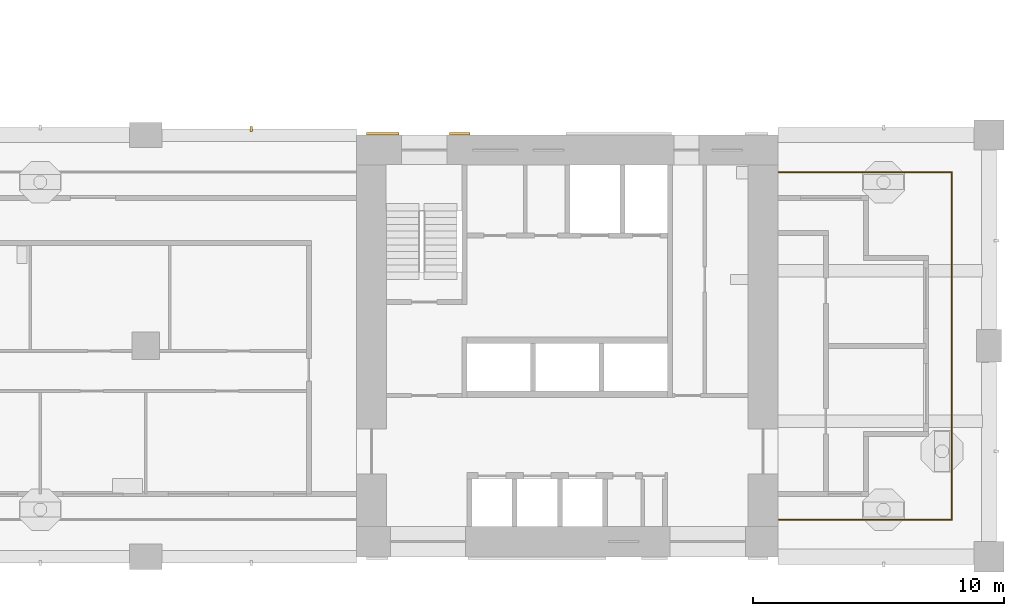
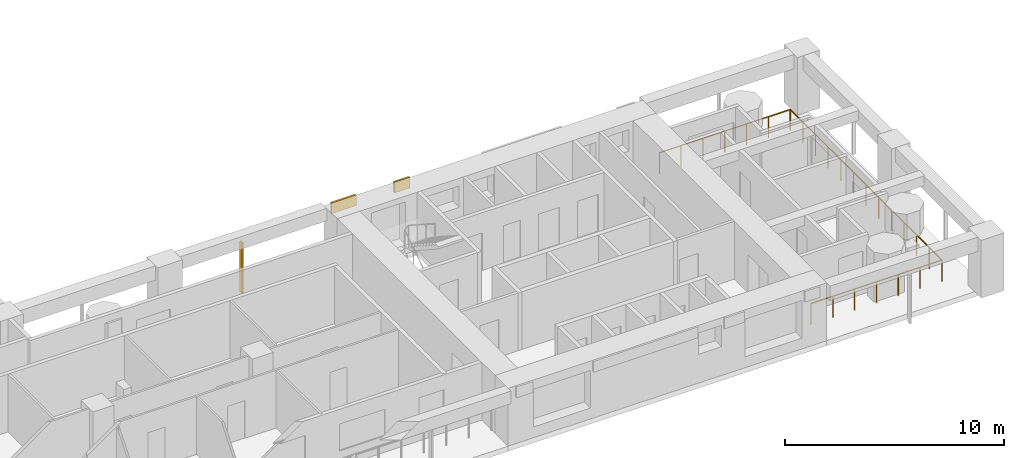
# One storey, part 12 of 18: 3 shading devices, 1 railing.
"""IFC4 building model written with IfcOpenShell, lengths in metres."""

from ifc_helpers import new_model, si_unit, direction, frame, origin, origin_2d, place, context, subcontext, project, spatial, rectangle, circle, extrude, material, layer, layer_set, material_profile, profile_set, type_object, element, save


model = new_model("IFC4")

# Units and contexts
model_context = context("Model", 3, precision=1e-05, world=origin(), true_north=direction((0.0, 1.0)))
body_context = subcontext(model_context, "Body", "Model", "MODEL_VIEW")
ifc_project = project(units=[si_unit("LENGTHUNIT", "METRE"), si_unit("AREAUNIT", "SQUARE_METRE"), si_unit("VOLUMEUNIT", "CUBIC_METRE"), si_unit("PLANEANGLEUNIT", "RADIAN"), si_unit("MASSUNIT", "GRAM", prefix="KILO")], contexts=[model_context])

# Site, building, storey
site_placement = place(None, origin())
site = spatial("IfcSite", under=ifc_project, at=site_placement, CompositionType="ELEMENT")
building_placement = place(site_placement, origin())
building = spatial("IfcBuilding", under=site, at=building_placement, Name="Vermilion Gate Residences", CompositionType="ELEMENT")
storey_placement = place(building_placement, frame((0.0, 0.0, 102.199951171875)))
storey = spatial("IfcBuildingStorey", under=building, at=storey_placement, Name="L25", CompositionType="ELEMENT", Elevation=102.199951171875)

# Railing
ifc_material_1 = material(Name="Stainless steel and toughened glass", Category="steel")
railing_type = type_object("IfcRailingType", Name="LOGGIA GUARD STEEL AND GLASS 1200", PredefinedType="GUARDRAIL", material=ifc_material_1)
railing_placement = place(storey_placement, frame((58.822021484375, 9.875, 0.0)))
element("IfcRailing", 1, at=railing_placement, inside=storey, type_object=railing_type, Name="Loggia guard", PredefinedType="GUARDRAIL", context=body_context, shape_type="SweptSolid", body=[
    extrude(circle(Radius=0.030029296875, at=origin_2d()), frame((0.0, 0.0, 1.169921875), z_axis=(1.0, 0.0, 0.0), x_axis=(0.0, 1.0, 0.0)), (0.0, 0.0, 1.0), 6.903076171875),
    extrude(circle(Radius=0.030029296875, at=origin_2d()), frame((6.903076171875, 0.0, 1.169921875), z_axis=(0.0, 1.0, 0.0), x_axis=(-1.0, 0.0, 0.0)), (0.0, 0.0, 1.0), 13.85009765625),
    extrude(circle(Radius=0.030029296875, at=origin_2d()), frame((6.903076171875, 13.85009765625, 1.169921875), z_axis=(-1.0, 0.0, 0.0), x_axis=(0.0, -1.0, 0.0)), (0.0, 0.0, 1.0), 6.903076171875),
    extrude(circle(Radius=0.02490234375, at=origin_2d()), origin(), (0.0, 0.0, 1.0), 1.139892578125),
    extrude(circle(Radius=0.02490234375, at=origin_2d()), frame((1.150390625, 0.0, 0.0)), (0.0, 0.0, 1.0), 1.139892578125),
    extrude(circle(Radius=0.02490234375, at=origin_2d()), frame((2.301025390625, 0.0, 0.0)), (0.0, 0.0, 1.0), 1.139892578125),
    extrude(circle(Radius=0.02490234375, at=origin_2d()), frame((3.45166015625, 0.0, 0.0)), (0.0, 0.0, 1.0), 1.139892578125),
    extrude(circle(Radius=0.02490234375, at=origin_2d()), frame((4.60205078125, 0.0, 0.0)), (0.0, 0.0, 1.0), 1.139892578125),
    extrude(circle(Radius=0.02490234375, at=origin_2d()), frame((5.75244140625, 0.0, 0.0)), (0.0, 0.0, 1.0), 1.139892578125),
    extrude(circle(Radius=0.02490234375, at=origin_2d()), frame((6.903076171875, 0.0, 0.0)), (0.0, 0.0, 1.0), 1.139892578125),
    extrude(circle(Radius=0.02490234375, at=origin_2d()), frame((6.903076171875, 1.154296875, 0.0)), (0.0, 0.0, 1.0), 1.139892578125),
    extrude(circle(Radius=0.02490234375, at=origin_2d()), frame((6.903076171875, 2.308349609375, 0.0)), (0.0, 0.0, 1.0), 1.139892578125),
    extrude(circle(Radius=0.02490234375, at=origin_2d()), frame((6.903076171875, 3.46240234375, 0.0)), (0.0, 0.0, 1.0), 1.139892578125),
    extrude(circle(Radius=0.02490234375, at=origin_2d()), frame((6.903076171875, 4.61669921875, 0.0)), (0.0, 0.0, 1.0), 1.139892578125),
    extrude(circle(Radius=0.02490234375, at=origin_2d()), frame((6.903076171875, 5.77099609375, 0.0)), (0.0, 0.0, 1.0), 1.139892578125),
    extrude(circle(Radius=0.02490234375, at=origin_2d()), frame((6.903076171875, 6.925048828125, 0.0)), (0.0, 0.0, 1.0), 1.139892578125),
    extrude(circle(Radius=0.02490234375, at=origin_2d()), frame((6.903076171875, 8.0791015625, 0.0)), (0.0, 0.0, 1.0), 1.139892578125),
    extrude(circle(Radius=0.02490234375, at=origin_2d()), frame((6.903076171875, 9.2333984375, 0.0)), (0.0, 0.0, 1.0), 1.139892578125),
    extrude(circle(Radius=0.02490234375, at=origin_2d()), frame((6.903076171875, 10.3876953125, 0.0)), (0.0, 0.0, 1.0), 1.139892578125),
    extrude(circle(Radius=0.02490234375, at=origin_2d()), frame((6.903076171875, 11.541748046875, 0.0)), (0.0, 0.0, 1.0), 1.139892578125),
    extrude(circle(Radius=0.02490234375, at=origin_2d()), frame((6.903076171875, 12.69580078125, 0.0)), (0.0, 0.0, 1.0), 1.139892578125),
    extrude(circle(Radius=0.02490234375, at=origin_2d()), frame((6.903076171875, 13.85009765625, 0.0)), (0.0, 0.0, 1.0), 1.139892578125),
    extrude(circle(Radius=0.02490234375, at=origin_2d()), frame((5.75244140625, 13.85009765625, 0.0)), (0.0, 0.0, 1.0), 1.139892578125),
    extrude(circle(Radius=0.02490234375, at=origin_2d()), frame((4.60205078125, 13.85009765625, 0.0)), (0.0, 0.0, 1.0), 1.139892578125),
    extrude(circle(Radius=0.02490234375, at=origin_2d()), frame((3.45166015625, 13.85009765625, 0.0)), (0.0, 0.0, 1.0), 1.139892578125),
    extrude(circle(Radius=0.02490234375, at=origin_2d()), frame((2.301025390625, 13.85009765625, 0.0)), (0.0, 0.0, 1.0), 1.139892578125),
    extrude(circle(Radius=0.02490234375, at=origin_2d()), frame((1.150390625, 13.85009765625, 0.0)), (0.0, 0.0, 1.0), 1.139892578125),
    extrude(circle(Radius=0.02490234375, at=origin_2d()), frame((0.0, 13.85009765625, 0.0)), (0.0, 0.0, 1.0), 1.139892578125),
])

# Shading devices
ifc_material_2 = material(Name="Extruded terracotta", Category="masonry")
ifc_material_profile = material_profile(ifc_material_2, rectangle(XDim=0.199951171875, YDim=0.10009765625, at=origin_2d()), Name="BAGUETTE 100 X 200")
ifc_profile_set = profile_set([ifc_material_profile], Name="Extruded terracotta")
shading_device_type_1 = type_object("IfcShadingDeviceType", Name="TERRACOTTA BAGUETTE 100 X 200", PredefinedType="JALOUSIE", material=ifc_profile_set)
shading_device_1_placement = place(storey_placement, frame((37.800048828125, 25.449951171875, -0.280029296875), z_axis=(0.0, 0.0, 1.0), x_axis=(0.0, -1.0, 0.0)))
element("IfcShadingDevice", 2, at=shading_device_1_placement, inside=storey, type_object=shading_device_type_1, Name="BAGUETTE", PredefinedType="JALOUSIE", context=body_context, shape_type="SweptSolid", body=[
    extrude(rectangle(XDim=0.199951171875, YDim=0.10009765625, at=origin_2d()), origin(), (0.0, 0.0, 1.0), 2.800048828125),
])
ifc_material_3 = material(Name="Extruded terracotta", Category="masonry")
ifc_layer = layer(ifc_material_3, 0.10009765625)
ifc_layer_set = layer_set([ifc_layer], Name="TERRACOTTA SPANDREL BAND 600 X 100")
shading_device_type_2 = type_object("IfcShadingDeviceType", Name="TERRACOTTA SPANDREL BAND 600 X 100", PredefinedType="USERDEFINED", material=ifc_layer_set)
shading_device_2_placement = place(storey_placement, frame((43.050048828125, 25.25, 2.6201171875), z_axis=(0.0, 0.0, 1.0), x_axis=(1.0, 0.0, 0.0)))
element("IfcShadingDevice", 3, at=shading_device_2_placement, inside=storey, type_object=shading_device_type_2, Name="SPANDREL BAND", ObjectType="BAND", PredefinedType="USERDEFINED", context=body_context, shape_type="SweptSolid", body=[
    extrude(rectangle(XDim=1.300048828125, YDim=0.10009765625, at=origin_2d()), origin(), (0.0, 0.0, 1.0), 0.60009765625),
])
shading_device_3_placement = place(storey_placement, frame((46.112548828125, 25.25, 2.6201171875), z_axis=(0.0, 0.0, 1.0), x_axis=(1.0, 0.0, 0.0)))
element("IfcShadingDevice", 4, at=shading_device_3_placement, inside=storey, type_object=shading_device_type_2, Name="SPANDREL BAND", ObjectType="BAND", PredefinedType="USERDEFINED", context=body_context, shape_type="SweptSolid", body=[
    extrude(rectangle(XDim=0.824951171875, YDim=0.10009765625, at=origin_2d()), origin(), (0.0, 0.0, 1.0), 0.60009765625),
])

save(model, "model.ifc")
